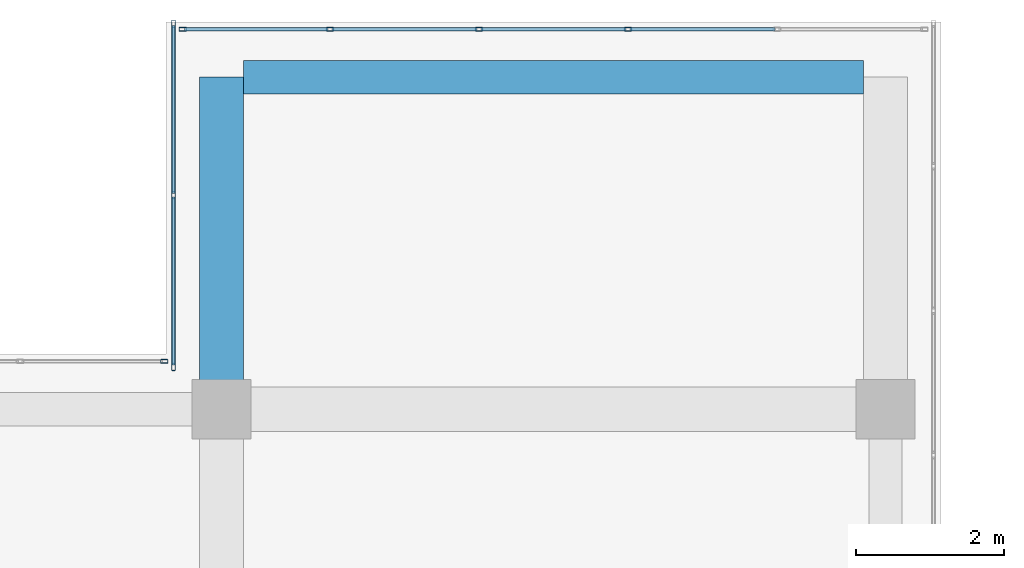
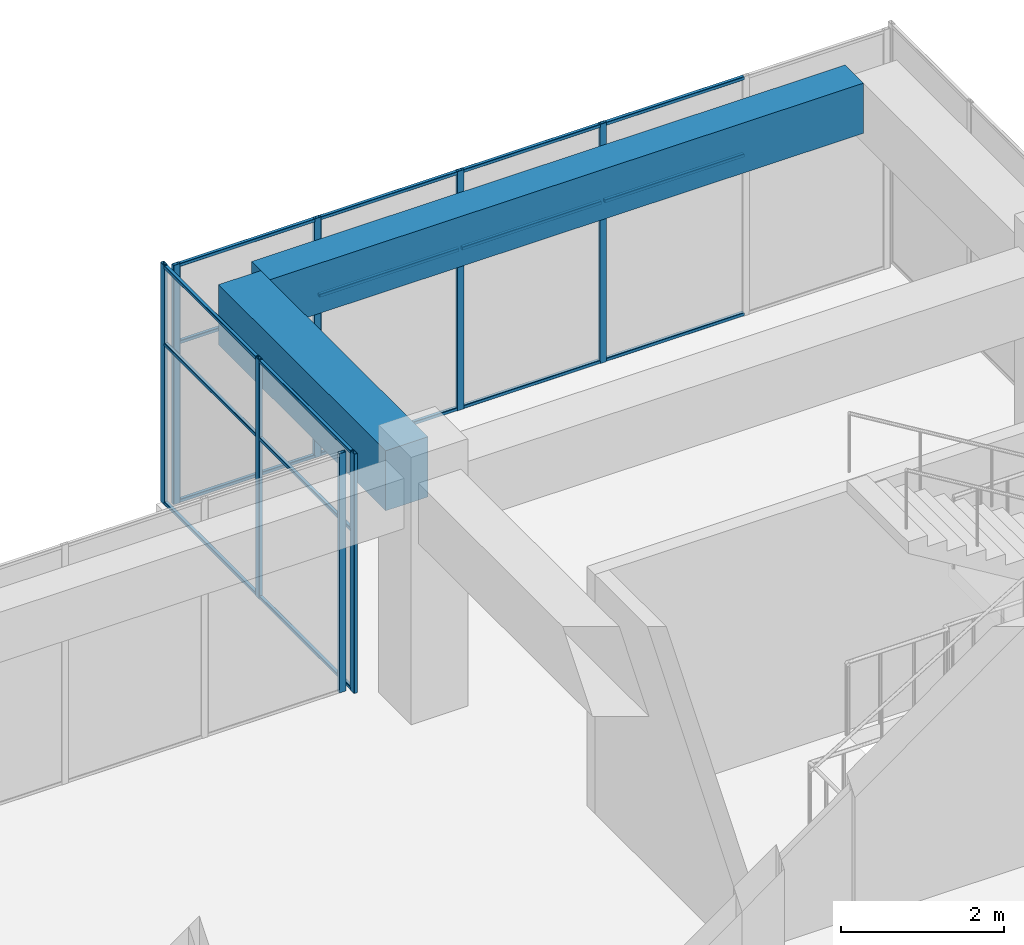
# One storey, part 37 of 52: 26 members, 2 beams, 3 elements without a shape of their own.
"""IFC4 building model written with IfcOpenShell, lengths in metres."""

import ifcopenshell
import ifcopenshell.guid

model = None  # the IFC model being written
_history = None  # IfcOwnerHistory: only IFC2X3 demands one
_inside = {}  # id of a spatial element -> (the spatial element, [elements in it])
_under = {}  # id of a project, library or spatial element -> (it, [spatial elements below it])
_declared = {}  # id of a project -> (the project, [libraries it declares])
_typed = {}  # id of a type object -> (the type object, [elements of that type])
_made_of = {}  # id of a material, layer set ... -> (it, [elements and type objects made of it])


def new_model(schema):
    """Start an empty IFC model of exactly this schema.

    Asked for "IFC4X3", IfcOpenShell would pick the latest addendum, in which some entities
    have other attributes; the version numbers below select the first issue.
    IFC2X3 requires an IfcOwnerHistory on every rooted entity: one is made here for all.
    """
    global model, _history
    if schema == "IFC4X3":
        model = ifcopenshell.file(schema_version=(4, 3, 0, 0))
    else:
        model = ifcopenshell.file(schema=schema)
    _inside.clear()
    _under.clear()
    _declared.clear()
    _typed.clear()
    _made_of.clear()
    _history = None
    if model.schema == "IFC2X3":
        org = make("IfcOrganization", Name="unknown")
        user = make(
            "IfcPersonAndOrganization",
            ThePerson=make("IfcPerson", FamilyName="unknown"),
            TheOrganization=org,
        )
        app = make(
            "IfcApplication",
            ApplicationDeveloper=org,
            Version="unknown",
            ApplicationFullName="unknown",
            ApplicationIdentifier="unknown",
        )
        _history = make(
            "IfcOwnerHistory",
            OwningUser=user,
            OwningApplication=app,
            ChangeAction="ADDED",
            CreationDate=0,
        )
    return model


def make(cls, **values):
    """One entity of the class cls with the attributes given. An attribute that is None is left unset."""
    return model.create_entity(
        cls, **{name: value for name, value in values.items() if value is not None}
    )


def rooted(cls, **values):
    """An entity with a GlobalId (a new one), such as an element, a storey or a relation."""
    return make(cls, GlobalId=ifcopenshell.guid.new(), OwnerHistory=_history, **values)


def si_unit(unit_type, name, prefix=None):
    """IfcSIUnit, for example si_unit("LENGTHUNIT", "METRE", prefix="MILLI")."""
    return make("IfcSIUnit", UnitType=unit_type, Prefix=prefix, Name=name)


def assignment(units):
    """IfcUnitAssignment: the units of a project."""
    return None if units is None else make("IfcUnitAssignment", Units=units)


def point(xyz):
    """IfcCartesianPoint."""
    return None if xyz is None else make("IfcCartesianPoint", Coordinates=xyz)


def direction(xyz):
    """IfcDirection."""
    return None if xyz is None else make("IfcDirection", DirectionRatios=xyz)


def frame(location, z_axis=None, x_axis=None):
    """IfcAxis2Placement3D, a coordinate frame: its origin and axes. An axis left out is left unset."""
    return make(
        "IfcAxis2Placement3D",
        Location=point(location),
        Axis=direction(z_axis),
        RefDirection=direction(x_axis),
    )


def frame_2d(location, x_axis=None):
    """IfcAxis2Placement2D, a coordinate frame in the plane: its origin and x axis."""
    return make(
        "IfcAxis2Placement2D", Location=point(location), RefDirection=direction(x_axis)
    )


def origin():
    """The frame at (0, 0, 0) with its axes left unset."""
    return frame((0.0, 0.0, 0.0))


def origin_2d():
    """The frame at (0, 0) in the plane with its x axis left unset."""
    return frame_2d((0.0, 0.0))


def place(relative_to, where):
    """IfcLocalPlacement: puts the frame where relative to a parent placement (None: the world)."""
    return make(
        "IfcLocalPlacement", PlacementRelTo=relative_to, RelativePlacement=where
    )


def context(
    kind, dimensions, precision=None, world=None, true_north=None, identifier=None
):
    """IfcGeometricRepresentationContext, for example the 3D "Model" context."""
    return make(
        "IfcGeometricRepresentationContext",
        ContextIdentifier=identifier,
        ContextType=kind,
        CoordinateSpaceDimension=dimensions,
        Precision=precision,
        WorldCoordinateSystem=world,
        TrueNorth=true_north,
    )


def subcontext(parent, identifier, kind, view, scale=None):
    """IfcGeometricRepresentationSubContext, for example "Body" below "Model"."""
    return make(
        "IfcGeometricRepresentationSubContext",
        ContextIdentifier=identifier,
        ContextType=kind,
        ParentContext=parent,
        TargetScale=scale,
        TargetView=view,
    )


def project(units=None, contexts=None):
    """IfcProject with its units and contexts."""
    return rooted(
        "IfcProject",
        Name="project",
        RepresentationContexts=contexts,
        UnitsInContext=assignment(units),
    )


def spatial(cls, under=None, at=None, **own):
    """A site, building, storey or space (cls), placed at a placement, below another one or the project."""
    s = rooted(cls, ObjectPlacement=at, **own)
    if under is not None:
        _under.setdefault(under.id(), (under, []))[1].append(s)
    return s


def profile(cls, at=None, kind="AREA", **sizes):
    """A parametric profile (cls). Its sizes go by their IFC names, for example OverallWidth=200.0."""
    return make(cls, ProfileType=kind, Position=at, **sizes)


def rectangle(**sizes):
    """IfcRectangleProfileDef."""
    return profile("IfcRectangleProfileDef", **sizes)


def hollow_rectangle(**sizes):
    """IfcRectangleHollowProfileDef."""
    return profile("IfcRectangleHollowProfileDef", **sizes)


def extrude(swept, where, along, depth):
    """IfcExtrudedAreaSolid: the profile swept, set in the frame where, extruded along a direction by depth."""
    return make(
        "IfcExtrudedAreaSolid",
        SweptArea=swept,
        Position=where,
        ExtrudedDirection=direction(along),
        Depth=depth,
    )


def shape(context_of_items, identifier, shape_type, items):
    """IfcShapeRepresentation: the items that make up one representation, for example the "Body"."""
    return make(
        "IfcShapeRepresentation",
        ContextOfItems=context_of_items,
        RepresentationIdentifier=identifier,
        RepresentationType=shape_type,
        Items=items,
    )


def material(Name=None, Category=None):
    """IfcMaterial."""
    return make("IfcMaterial", Name=Name, Category=Category)


def layer(
    of_material, thickness, ventilated=None, Name=None, Category=None, Priority=None
):
    """IfcMaterialLayer: one layer of a wall or slab, of a material (None: an air gap)."""
    return make(
        "IfcMaterialLayer",
        Material=of_material,
        LayerThickness=thickness,
        IsVentilated=ventilated,
        Name=Name,
        Category=Category,
        Priority=Priority,
    )


def layer_set(layers, Name=None):
    """IfcMaterialLayerSet."""
    return make("IfcMaterialLayerSet", MaterialLayers=layers, LayerSetName=Name)


def material_profile(
    of_material, cross_section, Name=None, Category=None, Priority=None
):
    """IfcMaterialProfile: a cross section and its material."""
    return make(
        "IfcMaterialProfile",
        Name=Name,
        Material=of_material,
        Profile=cross_section,
        Priority=Priority,
        Category=Category,
    )


def profile_set(profiles, Name=None, composite=None):
    """IfcMaterialProfileSet."""
    return make(
        "IfcMaterialProfileSet",
        Name=Name,
        MaterialProfiles=profiles,
        CompositeProfile=composite,
    )


def made_of(thing, what):
    """Note that an element or type object is made of a material, layer set ...; save() writes the relation."""
    if what is not None:
        _made_of.setdefault(what.id(), (what, []))[1].append(thing)
    return thing


def type_object(cls, material=None, **own):
    """A type object (cls), such as IfcWallType, which elements share."""
    return made_of(rooted(cls, **own), material)


def element(
    cls,
    number,
    at=None,
    inside=None,
    cuts=None,
    type_object=None,
    material=None,
    context=None,
    identifier="Body",
    shape_type=None,
    held_by="IfcProductDefinitionShape",
    body=None,
    shapes=None,
    **own,
):
    """One element of the class cls, such as IfcWall. Its Tag is "e" and its number.

    at: its placement. inside: the storey or other place that contains it. cuts: it is an
    opening in that element (IfcRelVoidsElement). A single representation is given by context,
    identifier, shape_type and body (its items); several are given by shapes. held_by: the class
    of the entity that holds the representations. save() writes the other relations.
    """
    e = rooted(cls, Tag="e%d" % number, ObjectPlacement=at, **own)
    if body is not None:
        shapes = [shape(context, identifier, shape_type, body)]
    if shapes is not None:
        e.Representation = make(held_by, Representations=shapes)
    if inside is not None:
        _inside.setdefault(inside.id(), (inside, []))[1].append(e)
    if cuts is not None:
        rooted(
            "IfcRelVoidsElement", RelatingBuildingElement=cuts, RelatedOpeningElement=e
        )
    if type_object is not None:
        _typed.setdefault(type_object.id(), (type_object, []))[1].append(e)
    return made_of(e, material)


def aggregate(whole, parts):
    """IfcRelAggregates: a whole, such as a stair, and the parts it consists of."""
    return rooted("IfcRelAggregates", RelatingObject=whole, RelatedObjects=parts)


def save(model, path):
    """Write the relations noted so far, then the file.

    IfcRelAggregates (storeys below a building ...), IfcRelContainedInSpatialStructure (elements
    in a storey), IfcRelDefinesByType, IfcRelAssociatesMaterial and IfcRelDeclares: one each for
    every whole, place, type object, material and project.
    """
    for whole, parts in _under.values():
        aggregate(whole, parts)
    for where, things in _inside.values():
        rooted(
            "IfcRelContainedInSpatialStructure",
            RelatedElements=things,
            RelatingStructure=where,
        )
    for kind, things in _typed.values():
        rooted("IfcRelDefinesByType", RelatedObjects=things, RelatingType=kind)
    for what, things in _made_of.values():
        rooted("IfcRelAssociatesMaterial", RelatedObjects=things, RelatingMaterial=what)
    for by, libraries in _declared.values():
        rooted("IfcRelDeclares", RelatingContext=by, RelatedDefinitions=libraries)
    model.write(path)


model = new_model("IFC4")

# Units and contexts
model_context = context("Model", 3, precision=1e-05, world=origin(), true_north=direction((0.0, 1.0)))
body_context = subcontext(model_context, "Body", "Model", "MODEL_VIEW")
ifc_project = project(units=[si_unit("LENGTHUNIT", "METRE"), si_unit("AREAUNIT", "SQUARE_METRE"), si_unit("VOLUMEUNIT", "CUBIC_METRE"), si_unit("PLANEANGLEUNIT", "RADIAN"), si_unit("MASSUNIT", "GRAM", prefix="KILO")], contexts=[model_context])

# Site, building, storey
site_placement = place(None, origin())
site = spatial("IfcSite", under=ifc_project, at=site_placement, CompositionType="ELEMENT")
building_placement = place(site_placement, origin())
building = spatial("IfcBuilding", under=site, at=building_placement, Name="Tuart Plaza Theatre", CompositionType="ELEMENT")
storey_placement = place(building_placement, frame((0.0, 0.0, 25.5)))
storey = spatial("IfcBuildingStorey", under=building, at=storey_placement, Name="L06", CompositionType="ELEMENT", Elevation=25.5)

# Beams
ifc_material_1 = material(Name="Concrete N40 (40 MPa)", Category="concrete")
ifc_material_profile_1 = material_profile(ifc_material_1, rectangle(XDim=0.449951171875, YDim=0.75, at=origin_2d()), Name="BEAM 450x750 Concrete N40 (40 MPa)")
ifc_profile_set_1 = profile_set([ifc_material_profile_1], Name="Concrete N40 (40 MPa)")
beam_type_1 = type_object("IfcBeamType", Name="BEAM 450x750 Concrete N40 (40 MPa)", PredefinedType="BEAM", material=ifc_profile_set_1)
beam_1_placement = place(storey_placement, frame((132.300048828125, 96.5, 3.205078125), z_axis=(1.0, 0.0, 0.0), x_axis=(0.0, 1.0, 0.0)))
element("IfcBeam", 1, at=beam_1_placement, inside=storey, type_object=beam_type_1, Name="RB227", PredefinedType="BEAM", context=body_context, shape_type="SweptSolid", body=[
    extrude(rectangle(XDim=0.449951171875, YDim=0.75, at=origin_2d()), origin(), (0.0, 0.0, 1.0), 8.39990234375),
])
ifc_material_2 = material(Name="Concrete N40 (40 MPa)", Category="concrete")
ifc_material_profile_2 = material_profile(ifc_material_2, rectangle(XDim=0.60009765625, YDim=0.89990234375, at=origin_2d()), Name="BEAM 600x900 Concrete N40 (40 MPa)")
ifc_profile_set_2 = profile_set([ifc_material_profile_2], Name="Concrete N40 (40 MPa)")
beam_type_2 = type_object("IfcBeamType", Name="BEAM 600x900 Concrete N40 (40 MPa)", PredefinedType="BEAM", material=ifc_profile_set_2)
beam_2_placement = place(storey_placement, frame((132.0, 92.39990234375, 3.1298828125), z_axis=(0.0, 1.0, 0.0), x_axis=(-1.0, 0.0, 0.0)))
element("IfcBeam", 2, at=beam_2_placement, inside=storey, type_object=beam_type_2, Name="RB225", PredefinedType="BEAM", context=body_context, shape_type="SweptSolid", body=[
    extrude(rectangle(XDim=0.60009765625, YDim=0.89990234375, at=origin_2d()), origin(), (0.0, 0.0, 1.0), 4.10009765625),
])

# Curtain wall, members
ifc_material_3 = material(Name="Aluminium and glass", Category="aluminium")
ifc_layer = layer(ifc_material_3, 0.10009765625)
ifc_layer_set = layer_set([ifc_layer], Name="CURTAIN WALL 2000 module")
curtain_wall_type = type_object("IfcCurtainWallType", Name="CURTAIN WALL 2000 module", PredefinedType="NOTDEFINED", material=ifc_layer_set)
curtain_wall_1_placement = place(storey_placement, origin())
curtain_wall_1 = element("IfcCurtainWall", 3, at=curtain_wall_1_placement, inside=storey, type_object=curtain_wall_type, Name="CW82", PredefinedType="NOTDEFINED")
ifc_material_4 = material(Name="Aluminium 6063-T5", Category="aluminium")
ifc_material_profile_3 = material_profile(ifc_material_4, hollow_rectangle(XDim=0.050048828125, YDim=0.10009765625, WallThickness=0.00390625, InnerFilletRadius=0.00390625, OuterFilletRadius=0.008056640625, at=origin_2d()), Name="RHS 100x50x4")
ifc_profile_set_3 = profile_set([ifc_material_profile_3], Name="Aluminium 6063-T5")
member_type_1 = type_object("IfcMemberType", Name="MULLION RHS 100x50x4", PredefinedType="MULLION", material=ifc_profile_set_3)
member_1_placement = place(storey_placement, frame((137.510009765625, 97.14990234375, 0.0), z_axis=(0.0, 0.0, 1.0), x_axis=(0.0, -1.0, 0.0)))
member_1 = element("IfcMember", 4, at=member_1_placement, type_object=member_type_1, Name="CW82 mullion 3", PredefinedType="MULLION", context=body_context, shape_type="SweptSolid", body=[
    extrude(hollow_rectangle(XDim=0.050048828125, YDim=0.10009765625, WallThickness=0.00390625, InnerFilletRadius=0.00390625, OuterFilletRadius=0.008056640625, at=origin_2d()), origin(), (0.0, 0.0, 1.0), 3.580078125),
])
member_2_placement = place(storey_placement, frame((135.489990234375, 97.14990234375, 0.0), z_axis=(0.0, 0.0, 1.0), x_axis=(0.0, -1.0, 0.0)))
member_2 = element("IfcMember", 5, at=member_2_placement, type_object=member_type_1, Name="CW82 mullion 4", PredefinedType="MULLION", context=body_context, shape_type="SweptSolid", body=[
    extrude(hollow_rectangle(XDim=0.050048828125, YDim=0.10009765625, WallThickness=0.00390625, InnerFilletRadius=0.00390625, OuterFilletRadius=0.008056640625, at=origin_2d()), origin(), (0.0, 0.0, 1.0), 3.580078125),
])
member_3_placement = place(storey_placement, frame((133.469970703125, 97.14990234375, 0.0), z_axis=(0.0, 0.0, 1.0), x_axis=(0.0, -1.0, 0.0)))
member_3 = element("IfcMember", 6, at=member_3_placement, type_object=member_type_1, Name="CW82 mullion 5", PredefinedType="MULLION", context=body_context, shape_type="SweptSolid", body=[
    extrude(hollow_rectangle(XDim=0.050048828125, YDim=0.10009765625, WallThickness=0.00390625, InnerFilletRadius=0.00390625, OuterFilletRadius=0.008056640625, at=origin_2d()), origin(), (0.0, 0.0, 1.0), 3.580078125),
])
member_4_placement = place(storey_placement, frame((131.47509765625, 97.14990234375, 0.0), z_axis=(0.0, 0.0, 1.0), x_axis=(0.0, -1.0, 0.0)))
member_4 = element("IfcMember", 7, at=member_4_placement, type_object=member_type_1, Name="CW82 mullion 6", PredefinedType="MULLION", context=body_context, shape_type="SweptSolid", body=[
    extrude(hollow_rectangle(XDim=0.050048828125, YDim=0.10009765625, WallThickness=0.00390625, InnerFilletRadius=0.00390625, OuterFilletRadius=0.008056640625, at=origin_2d()), origin(), (0.0, 0.0, 1.0), 3.580078125),
])

curtain_wall_2_placement = place(storey_placement, origin())
curtain_wall_2 = element("IfcCurtainWall", 8, at=curtain_wall_2_placement, inside=storey, type_object=curtain_wall_type, Name="CW83", PredefinedType="NOTDEFINED")
member_5_placement = place(storey_placement, frame((131.35009765625, 97.22509765625, 0.0), z_axis=(0.0, 0.0, 1.0), x_axis=(1.0, 0.0, 0.0)))
member_5 = element("IfcMember", 9, at=member_5_placement, type_object=member_type_1, Name="CW83 mullion 1", PredefinedType="MULLION", context=body_context, shape_type="SweptSolid", body=[
    extrude(hollow_rectangle(XDim=0.050048828125, YDim=0.10009765625, WallThickness=0.00390625, InnerFilletRadius=0.00390625, OuterFilletRadius=0.008056640625, at=origin_2d()), origin(), (0.0, 0.0, 1.0), 3.580078125),
])
member_6_placement = place(storey_placement, frame((131.35009765625, 94.89990234375, 0.0), z_axis=(0.0, 0.0, 1.0), x_axis=(1.0, 0.0, 0.0)))
member_6 = element("IfcMember", 10, at=member_6_placement, type_object=member_type_1, Name="CW83 mullion 2", PredefinedType="MULLION", context=body_context, shape_type="SweptSolid", body=[
    extrude(hollow_rectangle(XDim=0.050048828125, YDim=0.10009765625, WallThickness=0.00390625, InnerFilletRadius=0.00390625, OuterFilletRadius=0.008056640625, at=origin_2d()), origin(), (0.0, 0.0, 1.0), 3.580078125),
])
member_7_placement = place(storey_placement, frame((131.35009765625, 92.574951171875, 0.0), z_axis=(0.0, 0.0, 1.0), x_axis=(1.0, 0.0, 0.0)))
member_7 = element("IfcMember", 11, at=member_7_placement, type_object=member_type_1, Name="CW83 mullion 3", PredefinedType="MULLION", context=body_context, shape_type="SweptSolid", body=[
    extrude(hollow_rectangle(XDim=0.050048828125, YDim=0.10009765625, WallThickness=0.00390625, InnerFilletRadius=0.00390625, OuterFilletRadius=0.008056640625, at=origin_2d()), origin(), (0.0, 0.0, 1.0), 3.580078125),
])

# Curtain wall, member
curtain_wall_3_placement = place(storey_placement, origin())
curtain_wall_3 = element("IfcCurtainWall", 12, at=curtain_wall_3_placement, inside=storey, type_object=curtain_wall_type, Name="CW84", PredefinedType="NOTDEFINED")
member_8_placement = place(storey_placement, frame((131.22509765625, 92.64990234375, 0.0), z_axis=(0.0, 0.0, 1.0), x_axis=(0.0, -1.0, 0.0)))
member_8 = element("IfcMember", 13, at=member_8_placement, type_object=member_type_1, Name="CW84 mullion 1", PredefinedType="MULLION", context=body_context, shape_type="SweptSolid", body=[
    extrude(hollow_rectangle(XDim=0.050048828125, YDim=0.10009765625, WallThickness=0.00390625, InnerFilletRadius=0.00390625, OuterFilletRadius=0.008056640625, at=origin_2d()), origin(), (0.0, 0.0, 1.0), 3.580078125),
])
aggregate(curtain_wall_3, [member_8])

# Member
ifc_material_5 = material(Name="Aluminium 6063-T5", Category="aluminium")
ifc_material_profile_4 = material_profile(ifc_material_5, hollow_rectangle(XDim=0.050048828125, YDim=0.050048828125, WallThickness=0.00390625, InnerFilletRadius=0.00390625, OuterFilletRadius=0.008056640625, at=origin_2d()), Name="RHS 50x50x4")
ifc_profile_set_4 = profile_set([ifc_material_profile_4], Name="Aluminium 6063-T5")
member_type_2 = type_object("IfcMemberType", Name="TRANSOM RHS 50x50x4", PredefinedType="USERDEFINED", material=ifc_profile_set_4)
member_9_placement = place(storey_placement, frame((139.5048828125, 97.14990234375, 0.02490234375), z_axis=(-1.0, 0.0, 0.0), x_axis=(0.0, -1.0, 0.0)))
member_9 = element("IfcMember", 14, at=member_9_placement, type_object=member_type_2, Name="CW82 transom 2.1", ObjectType="TRANSOM", PredefinedType="USERDEFINED", context=body_context, shape_type="SweptSolid", body=[
    extrude(hollow_rectangle(XDim=0.050048828125, YDim=0.050048828125, WallThickness=0.00390625, InnerFilletRadius=0.00390625, OuterFilletRadius=0.008056640625, at=origin_2d()), origin(), (0.0, 0.0, 1.0), 1.969970703125),
])

member_10_placement = place(storey_placement, frame((139.5048828125, 97.14990234375, 2.39990234375), z_axis=(-1.0, 0.0, 0.0), x_axis=(0.0, -1.0, 0.0)))
member_10 = element("IfcMember", 15, at=member_10_placement, type_object=member_type_2, Name="CW82 transom 2.2", ObjectType="TRANSOM", PredefinedType="USERDEFINED", context=body_context, shape_type="SweptSolid", body=[
    extrude(hollow_rectangle(XDim=0.050048828125, YDim=0.050048828125, WallThickness=0.00390625, InnerFilletRadius=0.00390625, OuterFilletRadius=0.008056640625, at=origin_2d()), origin(), (0.0, 0.0, 1.0), 1.969970703125),
])

member_11_placement = place(storey_placement, frame((139.5048828125, 97.14990234375, 3.554931640625), z_axis=(-1.0, 0.0, 0.0), x_axis=(0.0, -1.0, 0.0)))
member_11 = element("IfcMember", 16, at=member_11_placement, type_object=member_type_2, Name="CW82 transom 2.3", ObjectType="TRANSOM", PredefinedType="USERDEFINED", context=body_context, shape_type="SweptSolid", body=[
    extrude(hollow_rectangle(XDim=0.050048828125, YDim=0.050048828125, WallThickness=0.00390625, InnerFilletRadius=0.00390625, OuterFilletRadius=0.008056640625, at=origin_2d()), origin(), (0.0, 0.0, 1.0), 1.969970703125),
])

member_12_placement = place(storey_placement, frame((137.485107421875, 97.14990234375, 0.02490234375), z_axis=(-1.0, 0.0, 0.0), x_axis=(0.0, -1.0, 0.0)))
member_12 = element("IfcMember", 17, at=member_12_placement, type_object=member_type_2, Name="CW82 transom 3.1", ObjectType="TRANSOM", PredefinedType="USERDEFINED", context=body_context, shape_type="SweptSolid", body=[
    extrude(hollow_rectangle(XDim=0.050048828125, YDim=0.050048828125, WallThickness=0.00390625, InnerFilletRadius=0.00390625, OuterFilletRadius=0.008056640625, at=origin_2d()), origin(), (0.0, 0.0, 1.0), 1.97021484375),
])

member_13_placement = place(storey_placement, frame((137.485107421875, 97.14990234375, 2.39990234375), z_axis=(-1.0, 0.0, 0.0), x_axis=(0.0, -1.0, 0.0)))
member_13 = element("IfcMember", 18, at=member_13_placement, type_object=member_type_2, Name="CW82 transom 3.2", ObjectType="TRANSOM", PredefinedType="USERDEFINED", context=body_context, shape_type="SweptSolid", body=[
    extrude(hollow_rectangle(XDim=0.050048828125, YDim=0.050048828125, WallThickness=0.00390625, InnerFilletRadius=0.00390625, OuterFilletRadius=0.008056640625, at=origin_2d()), origin(), (0.0, 0.0, 1.0), 1.97021484375),
])

member_14_placement = place(storey_placement, frame((137.485107421875, 97.14990234375, 3.554931640625), z_axis=(-1.0, 0.0, 0.0), x_axis=(0.0, -1.0, 0.0)))
member_14 = element("IfcMember", 19, at=member_14_placement, type_object=member_type_2, Name="CW82 transom 3.3", ObjectType="TRANSOM", PredefinedType="USERDEFINED", context=body_context, shape_type="SweptSolid", body=[
    extrude(hollow_rectangle(XDim=0.050048828125, YDim=0.050048828125, WallThickness=0.00390625, InnerFilletRadius=0.00390625, OuterFilletRadius=0.008056640625, at=origin_2d()), origin(), (0.0, 0.0, 1.0), 1.97021484375),
])

member_15_placement = place(storey_placement, frame((135.465087890625, 97.14990234375, 0.02490234375), z_axis=(-1.0, 0.0, 0.0), x_axis=(0.0, -1.0, 0.0)))
member_15 = element("IfcMember", 20, at=member_15_placement, type_object=member_type_2, Name="CW82 transom 4.1", ObjectType="TRANSOM", PredefinedType="USERDEFINED", context=body_context, shape_type="SweptSolid", body=[
    extrude(hollow_rectangle(XDim=0.050048828125, YDim=0.050048828125, WallThickness=0.00390625, InnerFilletRadius=0.00390625, OuterFilletRadius=0.008056640625, at=origin_2d()), origin(), (0.0, 0.0, 1.0), 1.969970703125),
])

member_16_placement = place(storey_placement, frame((135.465087890625, 97.14990234375, 2.39990234375), z_axis=(-1.0, 0.0, 0.0), x_axis=(0.0, -1.0, 0.0)))
member_16 = element("IfcMember", 21, at=member_16_placement, type_object=member_type_2, Name="CW82 transom 4.2", ObjectType="TRANSOM", PredefinedType="USERDEFINED", context=body_context, shape_type="SweptSolid", body=[
    extrude(hollow_rectangle(XDim=0.050048828125, YDim=0.050048828125, WallThickness=0.00390625, InnerFilletRadius=0.00390625, OuterFilletRadius=0.008056640625, at=origin_2d()), origin(), (0.0, 0.0, 1.0), 1.969970703125),
])

member_17_placement = place(storey_placement, frame((135.465087890625, 97.14990234375, 3.554931640625), z_axis=(-1.0, 0.0, 0.0), x_axis=(0.0, -1.0, 0.0)))
member_17 = element("IfcMember", 22, at=member_17_placement, type_object=member_type_2, Name="CW82 transom 4.3", ObjectType="TRANSOM", PredefinedType="USERDEFINED", context=body_context, shape_type="SweptSolid", body=[
    extrude(hollow_rectangle(XDim=0.050048828125, YDim=0.050048828125, WallThickness=0.00390625, InnerFilletRadius=0.00390625, OuterFilletRadius=0.008056640625, at=origin_2d()), origin(), (0.0, 0.0, 1.0), 1.969970703125),
])

member_18_placement = place(storey_placement, frame((133.445068359375, 97.14990234375, 0.02490234375), z_axis=(-1.0, 0.0, 0.0), x_axis=(0.0, -1.0, 0.0)))
member_18 = element("IfcMember", 23, at=member_18_placement, type_object=member_type_2, Name="CW82 transom 5.1", ObjectType="TRANSOM", PredefinedType="USERDEFINED", context=body_context, shape_type="SweptSolid", body=[
    extrude(hollow_rectangle(XDim=0.050048828125, YDim=0.050048828125, WallThickness=0.00390625, InnerFilletRadius=0.00390625, OuterFilletRadius=0.008056640625, at=origin_2d()), origin(), (0.0, 0.0, 1.0), 1.945068359375),
])

member_19_placement = place(storey_placement, frame((133.445068359375, 97.14990234375, 2.39990234375), z_axis=(-1.0, 0.0, 0.0), x_axis=(0.0, -1.0, 0.0)))
member_19 = element("IfcMember", 24, at=member_19_placement, type_object=member_type_2, Name="CW82 transom 5.2", ObjectType="TRANSOM", PredefinedType="USERDEFINED", context=body_context, shape_type="SweptSolid", body=[
    extrude(hollow_rectangle(XDim=0.050048828125, YDim=0.050048828125, WallThickness=0.00390625, InnerFilletRadius=0.00390625, OuterFilletRadius=0.008056640625, at=origin_2d()), origin(), (0.0, 0.0, 1.0), 1.945068359375),
])

member_20_placement = place(storey_placement, frame((133.445068359375, 97.14990234375, 3.554931640625), z_axis=(-1.0, 0.0, 0.0), x_axis=(0.0, -1.0, 0.0)))
member_20 = element("IfcMember", 25, at=member_20_placement, type_object=member_type_2, Name="CW82 transom 5.3", ObjectType="TRANSOM", PredefinedType="USERDEFINED", context=body_context, shape_type="SweptSolid", body=[
    extrude(hollow_rectangle(XDim=0.050048828125, YDim=0.050048828125, WallThickness=0.00390625, InnerFilletRadius=0.00390625, OuterFilletRadius=0.008056640625, at=origin_2d()), origin(), (0.0, 0.0, 1.0), 1.945068359375),
])

aggregate(curtain_wall_1, [member_1, member_2, member_3, member_4, member_9, member_10, member_11, member_12, member_13, member_14, member_15, member_16, member_17, member_18, member_19, member_20])

member_21_placement = place(storey_placement, frame((131.35009765625, 97.199951171875, 0.02490234375), z_axis=(0.0, -1.0, 0.0), x_axis=(1.0, 0.0, 0.0)))
member_21 = element("IfcMember", 26, at=member_21_placement, type_object=member_type_2, Name="CW83 transom 1.1", ObjectType="TRANSOM", PredefinedType="USERDEFINED", context=body_context, shape_type="SweptSolid", body=[
    extrude(hollow_rectangle(XDim=0.050048828125, YDim=0.050048828125, WallThickness=0.00390625, InnerFilletRadius=0.00390625, OuterFilletRadius=0.008056640625, at=origin_2d()), origin(), (0.0, 0.0, 1.0), 2.27490234375),
])

member_22_placement = place(storey_placement, frame((131.35009765625, 97.199951171875, 2.39990234375), z_axis=(0.0, -1.0, 0.0), x_axis=(1.0, 0.0, 0.0)))
member_22 = element("IfcMember", 27, at=member_22_placement, type_object=member_type_2, Name="CW83 transom 1.2", ObjectType="TRANSOM", PredefinedType="USERDEFINED", context=body_context, shape_type="SweptSolid", body=[
    extrude(hollow_rectangle(XDim=0.050048828125, YDim=0.050048828125, WallThickness=0.00390625, InnerFilletRadius=0.00390625, OuterFilletRadius=0.008056640625, at=origin_2d()), origin(), (0.0, 0.0, 1.0), 2.27490234375),
])

member_23_placement = place(storey_placement, frame((131.35009765625, 97.199951171875, 3.554931640625), z_axis=(0.0, -1.0, 0.0), x_axis=(1.0, 0.0, 0.0)))
member_23 = element("IfcMember", 28, at=member_23_placement, type_object=member_type_2, Name="CW83 transom 1.3", ObjectType="TRANSOM", PredefinedType="USERDEFINED", context=body_context, shape_type="SweptSolid", body=[
    extrude(hollow_rectangle(XDim=0.050048828125, YDim=0.050048828125, WallThickness=0.00390625, InnerFilletRadius=0.00390625, OuterFilletRadius=0.008056640625, at=origin_2d()), origin(), (0.0, 0.0, 1.0), 2.27490234375),
])

member_24_placement = place(storey_placement, frame((131.35009765625, 94.875, 0.02490234375), z_axis=(0.0, -1.0, 0.0), x_axis=(1.0, 0.0, 0.0)))
member_24 = element("IfcMember", 29, at=member_24_placement, type_object=member_type_2, Name="CW83 transom 2.1", ObjectType="TRANSOM", PredefinedType="USERDEFINED", context=body_context, shape_type="SweptSolid", body=[
    extrude(hollow_rectangle(XDim=0.050048828125, YDim=0.050048828125, WallThickness=0.00390625, InnerFilletRadius=0.00390625, OuterFilletRadius=0.008056640625, at=origin_2d()), origin(), (0.0, 0.0, 1.0), 2.27490234375),
])

member_25_placement = place(storey_placement, frame((131.35009765625, 94.875, 2.39990234375), z_axis=(0.0, -1.0, 0.0), x_axis=(1.0, 0.0, 0.0)))
member_25 = element("IfcMember", 30, at=member_25_placement, type_object=member_type_2, Name="CW83 transom 2.2", ObjectType="TRANSOM", PredefinedType="USERDEFINED", context=body_context, shape_type="SweptSolid", body=[
    extrude(hollow_rectangle(XDim=0.050048828125, YDim=0.050048828125, WallThickness=0.00390625, InnerFilletRadius=0.00390625, OuterFilletRadius=0.008056640625, at=origin_2d()), origin(), (0.0, 0.0, 1.0), 2.27490234375),
])

member_26_placement = place(storey_placement, frame((131.35009765625, 94.875, 3.554931640625), z_axis=(0.0, -1.0, 0.0), x_axis=(1.0, 0.0, 0.0)))
member_26 = element("IfcMember", 31, at=member_26_placement, type_object=member_type_2, Name="CW83 transom 2.3", ObjectType="TRANSOM", PredefinedType="USERDEFINED", context=body_context, shape_type="SweptSolid", body=[
    extrude(hollow_rectangle(XDim=0.050048828125, YDim=0.050048828125, WallThickness=0.00390625, InnerFilletRadius=0.00390625, OuterFilletRadius=0.008056640625, at=origin_2d()), origin(), (0.0, 0.0, 1.0), 2.27490234375),
])

aggregate(curtain_wall_2, [member_5, member_6, member_7, member_21, member_22, member_23, member_24, member_25, member_26])

save(model, "model.ifc")
